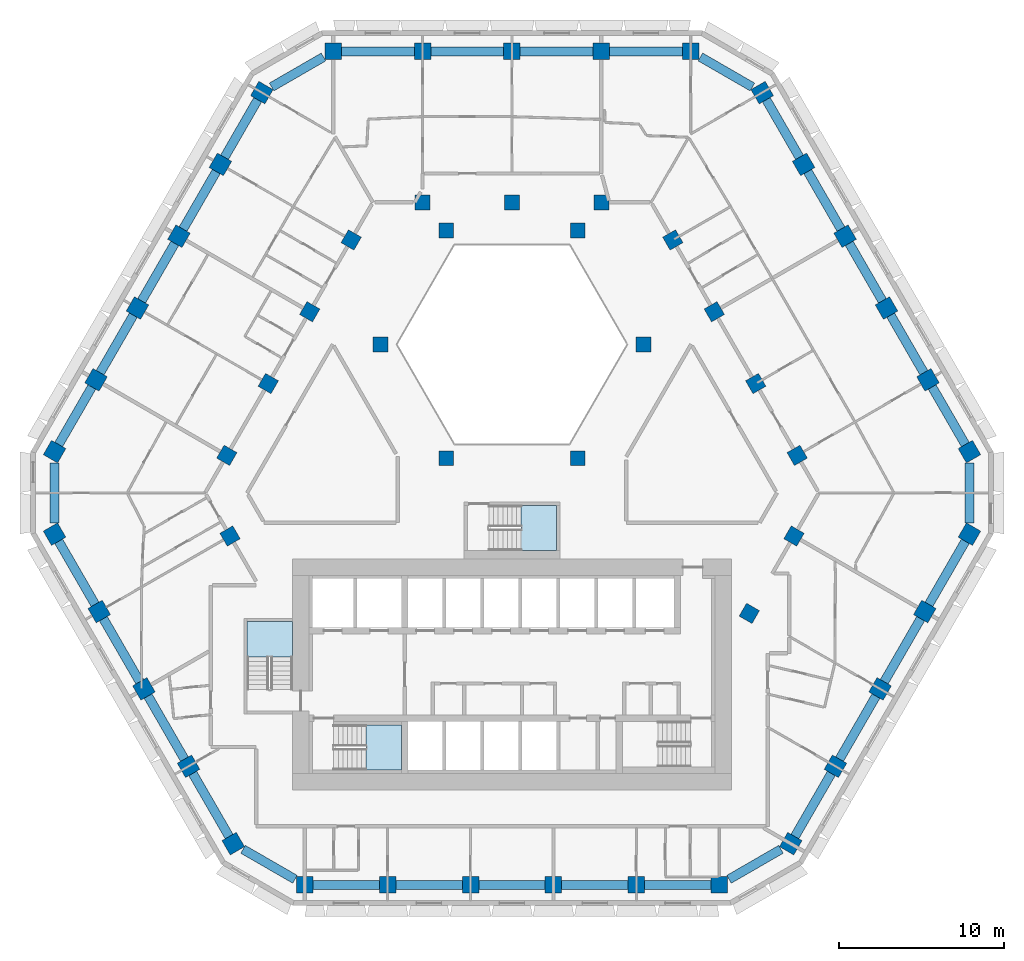
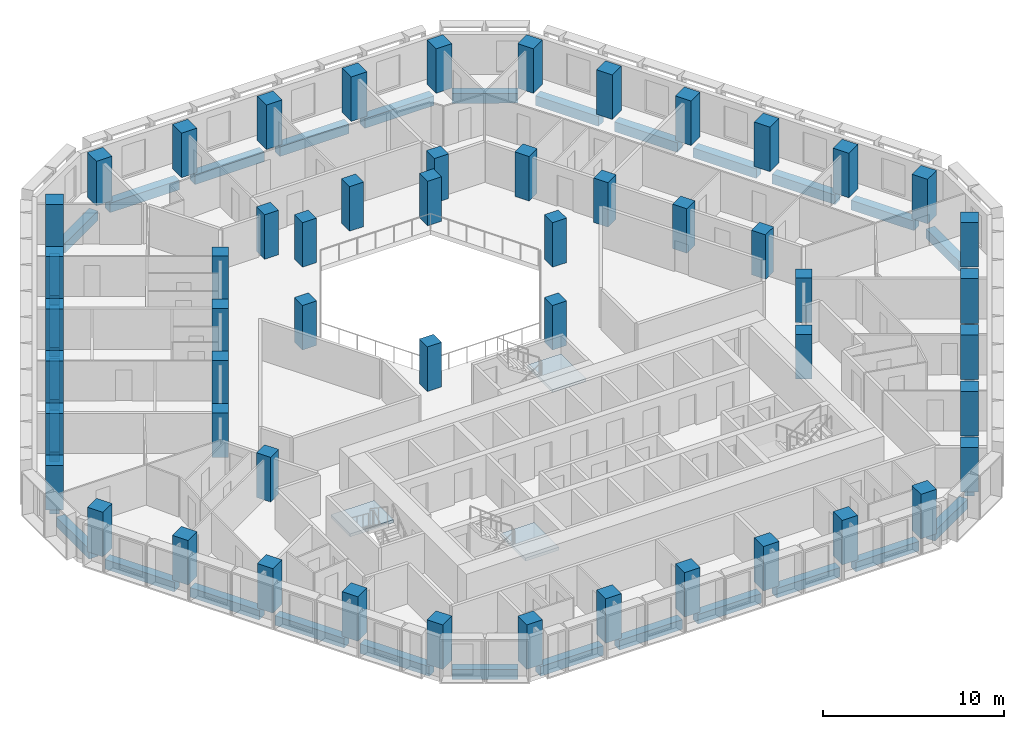
# One storey, part 1 of 16: 53 columns, 33 beams, 3 slabs, 3 elements without a shape of their own.
"""IFC4 building model written with IfcOpenShell, lengths in metres."""

from ifc_helpers import new_model, si_unit, direction, frame, origin, origin_2d, place, context, subcontext, project, spatial, polyline, rectangle, outline, extrude, material, layer, layer_set, material_profile, profile_set, type_object, element, aggregate, save


model = new_model("IFC4")

# Units and contexts
model_context = context("Model", 3, precision=1e-05, world=origin(), true_north=direction((0.0, 1.0)))
body_context = subcontext(model_context, "Body", "Model", "MODEL_VIEW")
ifc_project = project(units=[si_unit("LENGTHUNIT", "METRE"), si_unit("AREAUNIT", "SQUARE_METRE"), si_unit("VOLUMEUNIT", "CUBIC_METRE"), si_unit("PLANEANGLEUNIT", "RADIAN"), si_unit("MASSUNIT", "GRAM", prefix="KILO")], contexts=[model_context])

# Site, building, storey
site_placement = place(None, origin())
site = spatial("IfcSite", under=ifc_project, at=site_placement, CompositionType="ELEMENT")
building_placement = place(site_placement, origin())
building = spatial("IfcBuilding", under=site, at=building_placement, Name="Beryl Residences", CompositionType="ELEMENT")
storey_placement = place(building_placement, frame((0.0, 0.0, 90.0)))
storey = spatial("IfcBuildingStorey", under=building, at=storey_placement, Name="L27", CompositionType="ELEMENT", Elevation=90.0)

# Columns
ifc_material_1 = material(Name="Concrete C70/85", Category="concrete")
ifc_material_profile_1 = material_profile(ifc_material_1, rectangle(XDim=1.0, YDim=1.0, at=origin_2d()))
ifc_profile_set_1 = profile_set([ifc_material_profile_1], Name="Concrete C70/85")
column_type_1 = type_object("IfcColumnType", Name="C2 tube column 1000 x 1000 C70/85", PredefinedType="COLUMN", material=ifc_profile_set_1)
for number, where, z_axis, x_axis, name in (
    (1, (10.824951171875, 25.75, 0.0), (0.0, 0.0, 1.0), (-1.0, 0.0, 0.0), "C2-N1 L27"),
    (2, (5.412109375, 25.75, 0.0), (0.0, 0.0, 1.0), (-1.0, 0.0, 0.0), "C2-N2 L27"),
    (3, (-0.0009765625, 25.75, 0.0), (0.0, 0.0, 1.0), (-1.0, 0.0, 0.0), "C2-N3 L27"),
    (4, (-5.4140625, 25.75, 0.0), (0.0, 0.0, 1.0), (-1.0, 0.0, 0.0), "C2-N4 L27"),
    (5, (-10.826904296875, 25.75, 0.0), (0.0, 0.0, 1.0), (-1.0, 0.0, 0.0), "C2-N5 L27"),
    (6, (-15.155029296875, 23.2509765625, 0.0), (0.0, 0.0, 1.0), (-0.5, -0.866025403784, 0.0), "C2-NW1 L27"),
    (7, (-17.6669921875, 18.89990234375, 0.0), (0.0, 0.0, 1.0), (-0.5, -0.866025403784, 0.0), "C2-NW2 L27"),
    (8, (-20.177978515625, 14.550048828125, 0.0), (0.0, 0.0, 1.0), (-0.5, -0.866025403784, 0.0), "C2-NW3 L27"),
    (9, (-22.68994140625, 10.199951171875, 0.0), (0.0, 0.0, 1.0), (-0.5, -0.866025403784, 0.0), "C2-NW4 L27"),
    (10, (-25.201904296875, 5.85009765625, 0.0), (0.0, 0.0, 1.0), (-0.5, -0.866025403784, 0.0), "C2-NW5 L27"),
    (11, (-27.712890625, 1.5, 0.0), (0.0, 0.0, 1.0), (-0.5, -0.866025403784, 0.0), "C2-NW6 L27"),
    (12, (-27.714111328125, -3.4990234375, 0.0), (0.0, 0.0, 1.0), (0.5, -0.866025403784, 0.0), "C2-SW1 L27"),
    (13, (-25.007080078125, -8.18701171875, 0.0), (0.0, 0.0, 1.0), (0.5, -0.866025403784, 0.0), "C2-SW2 L27"),
    (14, (-22.300048828125, -12.875, 0.0), (0.0, 0.0, 1.0), (0.5, -0.866025403784, 0.0), "C2-SW3 L27"),
    (15, (-19.593994140625, -17.56298828125, 0.0), (0.0, 0.0, 1.0), (0.5, -0.866025403784, 0.0), "C2-SW4 L27"),
    (16, (-16.886962890625, -22.2509765625, 0.0), (0.0, 0.0, 1.0), (0.5, -0.866025403784, 0.0), "C2-SW5 L27"),
    (17, (-12.556884765625, -24.75, 0.0), (0.0, 0.0, 1.0), (1.0, 0.0, 0.0), "C2-S1 L27"),
    (18, (-7.533935546875, -24.75, 0.0), (0.0, 0.0, 1.0), (1.0, 0.0, 0.0), "C2-S2 L27"),
    (19, (-2.510986328125, -24.75, 0.0), (0.0, 0.0, 1.0), (1.0, 0.0, 0.0), "C2-S3 L27"),
    (20, (2.511962890625, -24.75, 0.0), (0.0, 0.0, 1.0), (1.0, 0.0, 0.0), "C2-S4 L27"),
    (21, (7.534912109375, -24.75, 0.0), (0.0, 0.0, 1.0), (1.0, 0.0, 0.0), "C2-S5 L27"),
    (22, (12.55810546875, -24.75, 0.0), (0.0, 0.0, 1.0), (1.0, 0.0, 0.0), "C2-S6 L27"),
    (23, (16.886962890625, -22.2509765625, 0.0), (0.0, 0.0, 1.0), (0.5, 0.866025403784, 0.0), "C2-SE1 L27"),
    (24, (19.593994140625, -17.56298828125, 0.0), (0.0, 0.0, 1.0), (0.5, 0.866025403784, 0.0), "C2-SE2 L27"),
    (25, (22.300048828125, -12.875, 0.0), (0.0, 0.0, 1.0), (0.5, 0.866025403784, 0.0), "C2-SE3 L27"),
    (26, (25.007080078125, -8.18701171875, 0.0), (0.0, 0.0, 1.0), (0.5, 0.866025403784, 0.0), "C2-SE4 L27"),
    (27, (27.714111328125, -3.4990234375, 0.0), (0.0, 0.0, 1.0), (0.5, 0.866025403784, 0.0), "C2-SE5 L27"),
    (28, (27.714111328125, 1.4990234375, 0.0), (0.0, 0.0, 1.0), (-0.5, 0.866025403784, 0.0), "C2-NE1 L27"),
    (29, (25.201904296875, 5.85009765625, 0.0), (0.0, 0.0, 1.0), (-0.5, 0.866025403784, 0.0), "C2-NE2 L27"),
    (30, (22.68994140625, 10.199951171875, 0.0), (0.0, 0.0, 1.0), (-0.5, 0.866025403784, 0.0), "C2-NE3 L27"),
    (31, (20.178955078125, 14.550048828125, 0.0), (0.0, 0.0, 1.0), (-0.5, 0.866025403784, 0.0), "C2-NE4 L27"),
    (32, (17.6669921875, 18.89990234375, 0.0), (0.0, 0.0, 1.0), (-0.5, 0.866025403784, 0.0), "C2-NE5 L27"),
    (33, (15.156005859375, 23.25, 0.0), (0.0, 0.0, 1.0), (-0.5, 0.866025403784, 0.0), "C2-NE6 L27"),
):
    element("IfcColumn", number, at=place(storey_placement, frame(where, z_axis=z_axis, x_axis=x_axis)), inside=storey, type_object=column_type_1, Name=name, PredefinedType="COLUMN", context=body_context, shape_type="SweptSolid", body=[
        extrude(rectangle(XDim=1.0, YDim=1.0, at=origin_2d()), origin(), (0.0, 0.0, 1.0), 3.0),
    ])
ifc_material_2 = material(Name="Concrete C70/85", Category="concrete")
ifc_material_profile_2 = material_profile(ifc_material_2, rectangle(XDim=0.89990234375, YDim=0.89990234375, at=origin_2d()))
ifc_profile_set_2 = profile_set([ifc_material_profile_2], Name="Concrete C70/85")
column_type_2 = type_object("IfcColumnType", Name="IC2 interior column 900 x 900 C70/85", PredefinedType="COLUMN", material=ifc_profile_set_2)
for number, where, z_axis, x_axis, name in (
    (34, (-17.0830078125, -3.612060546875, 0.0), (0.0, 0.0, 1.0), (0.5, -0.866025403784, 0.0), "IC2-M01 L27"),
    (35, (14.3759765625, -8.300048828125, 0.0), (0.0, 0.0, 1.0), (0.5, 0.866025403784, 0.0), "IC2-M02 L27"),
    (36, (17.0830078125, -3.612060546875, 0.0), (0.0, 0.0, 1.0), (0.5, 0.866025403784, 0.0), "IC2-M03 L27"),
    (37, (17.278076171875, 1.27392578125, 0.0), (0.0, 0.0, 1.0), (-0.5, 0.866025403784, 0.0), "IC2-M04 L27"),
    (38, (3.98388671875, 1.10009765625, 0.0), (0.0, 0.0, 1.0), (1.0, 0.0, 0.0), "IC2-A05 L27"),
    (39, (14.76611328125, 5.625, 0.0), (0.0, 0.0, 1.0), (-0.5, 0.866025403784, 0.0), "IC2-M06 L27"),
    (40, (12.2548828125, 9.97509765625, 0.0), (0.0, 0.0, 1.0), (-0.5, 0.866025403784, 0.0), "IC2-M07 L27"),
    (41, (7.967041015625, 8.0, 0.0), (0.0, 0.0, 1.0), (1.0, 0.0, 0.0), "IC2-A08 L27"),
    (42, (9.742919921875, 14.324951171875, 0.0), (0.0, 0.0, 1.0), (-0.5, 0.866025403784, 0.0), "IC2-M09 L27"),
    (43, (5.412109375, 16.60009765625, 0.0), (0.0, 0.0, 1.0), (-1.0, 0.0, 0.0), "IC2-M10 L27"),
    (44, (3.98388671875, 14.89990234375, 0.0), (0.0, 0.0, 1.0), (1.0, 0.0, 0.0), "IC2-A11 L27"),
    (45, (-0.0009765625, 16.60009765625, 0.0), (0.0, 0.0, 1.0), (-1.0, 0.0, 0.0), "IC2-M12 L27"),
    (46, (-3.98388671875, 14.89990234375, 0.0), (0.0, 0.0, 1.0), (1.0, 0.0, 0.0), "IC2-A13 L27"),
    (47, (-5.4140625, 16.60009765625, 0.0), (0.0, 0.0, 1.0), (-1.0, 0.0, 0.0), "IC2-M14 L27"),
    (48, (-9.742919921875, 14.324951171875, 0.0), (0.0, 0.0, 1.0), (-0.5, -0.866025403784, 0.0), "IC2-M15 L27"),
    (49, (-7.967041015625, 8.0, 0.0), (0.0, 0.0, 1.0), (1.0, 0.0, 0.0), "IC2-A16 L27"),
    (50, (-12.25390625, 9.97509765625, 0.0), (0.0, 0.0, 1.0), (-0.5, -0.866025403784, 0.0), "IC2-M17 L27"),
    (51, (-14.76611328125, 5.625, 0.0), (0.0, 0.0, 1.0), (-0.5, -0.866025403784, 0.0), "IC2-M18 L27"),
    (52, (-3.98388671875, 1.10009765625, 0.0), (0.0, 0.0, 1.0), (1.0, 0.0, 0.0), "IC2-A19 L27"),
    (53, (-17.277099609375, 1.27490234375, 0.0), (0.0, 0.0, 1.0), (-0.5, -0.866025403784, 0.0), "IC2-M20 L27"),
):
    element("IfcColumn", number, at=place(storey_placement, frame(where, z_axis=z_axis, x_axis=x_axis)), inside=storey, type_object=column_type_2, Name=name, PredefinedType="COLUMN", context=body_context, shape_type="SweptSolid", body=[
        extrude(rectangle(XDim=0.89990234375, YDim=0.89990234375, at=origin_2d()), origin(), (0.0, 0.0, 1.0), 3.0),
    ])

# Beams
ifc_material_3 = material(Name="Concrete C70/85", Category="concrete")
ifc_material_profile_3 = material_profile(ifc_material_3, rectangle(XDim=0.550048828125, YDim=0.64990234375, at=origin_2d()))
ifc_profile_set_3 = profile_set([ifc_material_profile_3], Name="Concrete C70/85")
beam_type = type_object("IfcBeamType", Name="SB2 spandrel beam 550 x 650 C70/85", PredefinedType="SPANDREL", material=ifc_profile_set_3)
beam_1_placement = place(storey_placement, frame((10.324951171875, 25.75, -0.625), z_axis=(-1.0, 0.0, 0.0), x_axis=(0.0, -1.0, 0.0)))
element("IfcBeam", 54, at=beam_1_placement, inside=storey, type_object=beam_type, Name="SB2 L27 N-0", PredefinedType="SPANDREL", context=body_context, shape_type="SweptSolid", body=[
    extrude(rectangle(XDim=0.550048828125, YDim=0.64990234375, at=origin_2d()), origin(), (0.0, 0.0, 1.0), 4.412841796875),
])
for number, where, z_axis, x_axis, name in (
    (55, (4.912109375, 25.75, -0.625), (-1.0, 0.0, 0.0), (0.0, -1.0, 0.0), "SB2 L27 N-1"),
    (56, (-0.5009765625, 25.75, -0.625), (-1.0, 0.0, 0.0), (0.0, -1.0, 0.0), "SB2 L27 N-2"),
):
    element("IfcBeam", number, at=place(storey_placement, frame(where, z_axis=z_axis, x_axis=x_axis)), inside=storey, type_object=beam_type, Name=name, PredefinedType="SPANDREL", context=body_context, shape_type="SweptSolid", body=[
        extrude(rectangle(XDim=0.550048828125, YDim=0.64990234375, at=origin_2d()), origin(), (0.0, 0.0, 1.0), 4.4130859375),
    ])
beam_2_placement = place(storey_placement, frame((-5.9140625, 25.75, -0.625), z_axis=(-1.0, 0.0, 0.0), x_axis=(0.0, -1.0, 0.0)))
element("IfcBeam", 57, at=beam_2_placement, inside=storey, type_object=beam_type, Name="SB2 L27 N-3", PredefinedType="SPANDREL", context=body_context, shape_type="SweptSolid", body=[
    extrude(rectangle(XDim=0.550048828125, YDim=0.64990234375, at=origin_2d()), origin(), (0.0, 0.0, 1.0), 4.412841796875),
])
beam_3_placement = place(storey_placement, frame((-11.41796875, 25.408935546875, -0.625), z_axis=(-0.865959503272, -0.500114125668, 0.0), x_axis=(0.500114125668, -0.865959503272, 0.0)))
element("IfcBeam", 58, at=beam_3_placement, inside=storey, type_object=beam_type, Name="SB2 L27 N-4", PredefinedType="SPANDREL", context=body_context, shape_type="SweptSolid", body=[
    extrude(rectangle(XDim=0.550048828125, YDim=0.64990234375, at=origin_2d()), origin(), (0.0, 0.0, 1.0), 3.633056640625),
])
beam_4_placement = place(storey_placement, frame((-15.405029296875, 22.818115234375, -0.625), z_axis=(-0.49996928203, -0.866043138087, 0.0), x_axis=(0.866043138087, -0.49996928203, 0.0)))
element("IfcBeam", 59, at=beam_4_placement, inside=storey, type_object=beam_type, Name="SB2 L27 NW-0", PredefinedType="SPANDREL", context=body_context, shape_type="SweptSolid", body=[
    extrude(rectangle(XDim=0.550048828125, YDim=0.64990234375, at=origin_2d()), origin(), (0.0, 0.0, 1.0), 4.024169921875),
])
beam_5_placement = place(storey_placement, frame((-17.9169921875, 18.467041015625, -0.625), z_axis=(-0.499892318183, -0.866087564985, 0.0), x_axis=(0.866087564985, -0.499892318183, 0.0)))
element("IfcBeam", 60, at=beam_5_placement, inside=storey, type_object=beam_type, Name="SB2 L27 NW-1", PredefinedType="SPANDREL", context=body_context, shape_type="SweptSolid", body=[
    extrude(rectangle(XDim=0.550048828125, YDim=0.64990234375, at=origin_2d()), origin(), (0.0, 0.0, 1.0), 4.02294921875),
])
beam_6_placement = place(storey_placement, frame((-20.427978515625, 14.116943359375, -0.625), z_axis=(-0.500100656611, -0.865967281863, 0.0), x_axis=(0.865967281863, -0.500100656611, 0.0)))
element("IfcBeam", 61, at=beam_6_placement, inside=storey, type_object=beam_type, Name="SB2 L27 NW-2", PredefinedType="SPANDREL", context=body_context, shape_type="SweptSolid", body=[
    extrude(rectangle(XDim=0.550048828125, YDim=0.64990234375, at=origin_2d()), origin(), (0.0, 0.0, 1.0), 4.023193359375),
])
beam_7_placement = place(storey_placement, frame((-22.93994140625, 9.76708984375, -0.625), z_axis=(-0.500074377092, -0.865982457891, 0.0), x_axis=(0.865982457891, -0.500074377092, 0.0)))
element("IfcBeam", 62, at=beam_7_placement, inside=storey, type_object=beam_type, Name="SB2 L27 NW-3", PredefinedType="SPANDREL", context=body_context, shape_type="SweptSolid", body=[
    extrude(rectangle(XDim=0.550048828125, YDim=0.64990234375, at=origin_2d()), origin(), (0.0, 0.0, 1.0), 4.0234375),
])
beam_8_placement = place(storey_placement, frame((-25.451904296875, 5.4169921875, -0.625), z_axis=(-0.499918594511, -0.866072398164, 0.0), x_axis=(0.866072398164, -0.499918594511, 0.0)))
element("IfcBeam", 63, at=beam_8_placement, inside=storey, type_object=beam_type, Name="SB2 L27 NW-4", PredefinedType="SPANDREL", context=body_context, shape_type="SweptSolid", body=[
    extrude(rectangle(XDim=0.550048828125, YDim=0.64990234375, at=origin_2d()), origin(), (0.0, 0.0, 1.0), 4.022705078125),
])
beam_9_placement = place(storey_placement, frame((-27.712890625, 0.81689453125, -0.625), z_axis=(-0.000336021486, -0.999999943545, 0.0), x_axis=(0.999999943545, -0.000336021486, 0.0)))
element("IfcBeam", 64, at=beam_9_placement, inside=storey, type_object=beam_type, Name="SB2 L27 NW-5", PredefinedType="SPANDREL", context=body_context, shape_type="SweptSolid", body=[
    extrude(rectangle(XDim=0.550048828125, YDim=0.64990234375, at=origin_2d()), origin(), (0.0, 0.0, 1.0), 3.6328125),
])
beam_10_placement = place(storey_placement, frame((-27.464111328125, -3.931884765625, -0.625), z_axis=(0.50006561292, -0.865987518834, 0.0), x_axis=(0.865987518834, 0.50006561292, 0.0)))
element("IfcBeam", 65, at=beam_10_placement, inside=storey, type_object=beam_type, Name="SB2 L27 SW-0", PredefinedType="SPANDREL", context=body_context, shape_type="SweptSolid", body=[
    extrude(rectangle(XDim=0.550048828125, YDim=0.64990234375, at=origin_2d()), origin(), (0.0, 0.0, 1.0), 4.41357421875),
])
beam_11_placement = place(storey_placement, frame((-24.757080078125, -8.6201171875, -0.625), z_axis=(0.500089568931, -0.865973684962, 0.0), x_axis=(0.865973684962, 0.500089568931, 0.0)))
element("IfcBeam", 66, at=beam_11_placement, inside=storey, type_object=beam_type, Name="SB2 L27 SW-1", PredefinedType="SPANDREL", context=body_context, shape_type="SweptSolid", body=[
    extrude(rectangle(XDim=0.550048828125, YDim=0.64990234375, at=origin_2d()), origin(), (0.0, 0.0, 1.0), 4.413330078125),
])
beam_12_placement = place(storey_placement, frame((-22.050048828125, -13.30810546875, -0.625), z_axis=(0.49992360228, -0.866069507536, 0.0), x_axis=(0.866069507536, 0.49992360228, 0.0)))
element("IfcBeam", 67, at=beam_12_placement, inside=storey, type_object=beam_type, Name="SB2 L27 SW-2", PredefinedType="SPANDREL", context=body_context, shape_type="SweptSolid", body=[
    extrude(rectangle(XDim=0.550048828125, YDim=0.64990234375, at=origin_2d()), origin(), (0.0, 0.0, 1.0), 4.412841796875),
])
beam_13_placement = place(storey_placement, frame((-19.343994140625, -17.99609375, -0.625), z_axis=(0.50006561292, -0.865987518834, 0.0), x_axis=(0.865987518834, 0.50006561292, 0.0)))
element("IfcBeam", 68, at=beam_13_placement, inside=storey, type_object=beam_type, Name="SB2 L27 SW-3", PredefinedType="SPANDREL", context=body_context, shape_type="SweptSolid", body=[
    extrude(rectangle(XDim=0.550048828125, YDim=0.64990234375, at=origin_2d()), origin(), (0.0, 0.0, 1.0), 4.41357421875),
])
beam_14_placement = place(storey_placement, frame((-16.2958984375, -22.592041015625, -0.625), z_axis=(0.866093873939, -0.499881387456, 0.0), x_axis=(0.499881387456, 0.866093873939, 0.0)))
element("IfcBeam", 69, at=beam_14_placement, inside=storey, type_object=beam_type, Name="SB2 L27 SW-4", PredefinedType="SPANDREL", context=body_context, shape_type="SweptSolid", body=[
    extrude(rectangle(XDim=0.550048828125, YDim=0.64990234375, at=origin_2d()), origin(), (0.0, 0.0, 1.0), 3.634765625),
])
for number, where, z_axis, x_axis, name in (
    (70, (-12.056884765625, -24.75, -0.625), (1.0, 0.0, 0.0), (0.0, 1.0, 0.0), "SB2 L27 S-0"),
    (71, (-7.033935546875, -24.75, -0.625), (1.0, 0.0, 0.0), (0.0, 1.0, 0.0), "SB2 L27 S-1"),
    (72, (-2.010986328125, -24.75, -0.625), (1.0, 0.0, 0.0), (0.0, 1.0, 0.0), "SB2 L27 S-2"),
    (73, (3.011962890625, -24.75, -0.625), (1.0, 0.0, 0.0), (0.0, 1.0, 0.0), "SB2 L27 S-3"),
):
    element("IfcBeam", number, at=place(storey_placement, frame(where, z_axis=z_axis, x_axis=x_axis)), inside=storey, type_object=beam_type, Name=name, PredefinedType="SPANDREL", context=body_context, shape_type="SweptSolid", body=[
        extrude(rectangle(XDim=0.550048828125, YDim=0.64990234375, at=origin_2d()), origin(), (0.0, 0.0, 1.0), 4.02294921875),
    ])
beam_15_placement = place(storey_placement, frame((8.034912109375, -24.75, -0.625), z_axis=(1.0, 0.0, 0.0), x_axis=(0.0, 1.0, 0.0)))
element("IfcBeam", 74, at=beam_15_placement, inside=storey, type_object=beam_type, Name="SB2 L27 S-4", PredefinedType="SPANDREL", context=body_context, shape_type="SweptSolid", body=[
    extrude(rectangle(XDim=0.550048828125, YDim=0.64990234375, at=origin_2d()), origin(), (0.0, 0.0, 1.0), 4.023193359375),
])
beam_16_placement = place(storey_placement, frame((13.14892578125, -24.408935546875, -0.625), z_axis=(0.866026712061, 0.499997733992, 0.0), x_axis=(-0.499997733992, 0.866026712061, 0.0)))
element("IfcBeam", 75, at=beam_16_placement, inside=storey, type_object=beam_type, Name="SB2 L27 S-5", PredefinedType="SPANDREL", context=body_context, shape_type="SweptSolid", body=[
    extrude(rectangle(XDim=0.550048828125, YDim=0.64990234375, at=origin_2d()), origin(), (0.0, 0.0, 1.0), 3.6337890625),
])
beam_17_placement = place(storey_placement, frame((17.136962890625, -21.818115234375, -0.625), z_axis=(0.50006561292, 0.865987518834, 0.0), x_axis=(-0.865987518834, 0.50006561292, 0.0)))
element("IfcBeam", 76, at=beam_17_placement, inside=storey, type_object=beam_type, Name="SB2 L27 SE-0", PredefinedType="SPANDREL", context=body_context, shape_type="SweptSolid", body=[
    extrude(rectangle(XDim=0.550048828125, YDim=0.64990234375, at=origin_2d()), origin(), (0.0, 0.0, 1.0), 4.41357421875),
])
beam_18_placement = place(storey_placement, frame((19.843994140625, -17.1298828125, -0.625), z_axis=(0.49992360228, 0.866069507536, 0.0), x_axis=(-0.866069507536, 0.49992360228, 0.0)))
element("IfcBeam", 77, at=beam_18_placement, inside=storey, type_object=beam_type, Name="SB2 L27 SE-1", PredefinedType="SPANDREL", context=body_context, shape_type="SweptSolid", body=[
    extrude(rectangle(XDim=0.550048828125, YDim=0.64990234375, at=origin_2d()), origin(), (0.0, 0.0, 1.0), 4.412841796875),
])
beam_19_placement = place(storey_placement, frame((22.550048828125, -12.44189453125, -0.625), z_axis=(0.500089568931, 0.865973684962, 0.0), x_axis=(-0.865973684962, 0.500089568931, 0.0)))
element("IfcBeam", 78, at=beam_19_placement, inside=storey, type_object=beam_type, Name="SB2 L27 SE-2", PredefinedType="SPANDREL", context=body_context, shape_type="SweptSolid", body=[
    extrude(rectangle(XDim=0.550048828125, YDim=0.64990234375, at=origin_2d()), origin(), (0.0, 0.0, 1.0), 4.413330078125),
])
beam_20_placement = place(storey_placement, frame((25.257080078125, -7.75390625, -0.625), z_axis=(0.50006561292, 0.865987518834, 0.0), x_axis=(-0.865987518834, 0.50006561292, 0.0)))
element("IfcBeam", 79, at=beam_20_placement, inside=storey, type_object=beam_type, Name="SB2 L27 SE-3", PredefinedType="SPANDREL", context=body_context, shape_type="SweptSolid", body=[
    extrude(rectangle(XDim=0.550048828125, YDim=0.64990234375, at=origin_2d()), origin(), (0.0, 0.0, 1.0), 4.41357421875),
])
beam_21_placement = place(storey_placement, frame((27.714111328125, -2.81591796875, -0.625), z_axis=(0.0, 1.0, 0.0), x_axis=(-1.0, 0.0, 0.0)))
element("IfcBeam", 80, at=beam_21_placement, inside=storey, type_object=beam_type, Name="SB2 L27 SE-4", PredefinedType="SPANDREL", context=body_context, shape_type="SweptSolid", body=[
    extrude(rectangle(XDim=0.550048828125, YDim=0.64990234375, at=origin_2d()), origin(), (0.0, 0.0, 1.0), 3.6318359375),
])
beam_22_placement = place(storey_placement, frame((27.464111328125, 1.931884765625, -0.625), z_axis=(-0.500014783214, 0.866016868524, 0.0), x_axis=(-0.866016868524, -0.500014783214, 0.0)))
element("IfcBeam", 81, at=beam_22_placement, inside=storey, type_object=beam_type, Name="SB2 L27 NE-0", PredefinedType="SPANDREL", context=body_context, shape_type="SweptSolid", body=[
    extrude(rectangle(XDim=0.550048828125, YDim=0.64990234375, at=origin_2d()), origin(), (0.0, 0.0, 1.0), 4.0244140625),
])
beam_23_placement = place(storey_placement, frame((24.951904296875, 6.282958984375, -0.625), z_axis=(-0.500074377092, 0.865982457891, 0.0), x_axis=(-0.865982457891, -0.500074377092, 0.0)))
element("IfcBeam", 82, at=beam_23_placement, inside=storey, type_object=beam_type, Name="SB2 L27 NE-1", PredefinedType="SPANDREL", context=body_context, shape_type="SweptSolid", body=[
    extrude(rectangle(XDim=0.550048828125, YDim=0.64990234375, at=origin_2d()), origin(), (0.0, 0.0, 1.0), 4.0234375),
])
beam_24_placement = place(storey_placement, frame((22.43994140625, 10.633056640625, -0.625), z_axis=(-0.499918594511, 0.866072398164, 0.0), x_axis=(-0.866072398164, -0.499918594511, 0.0)))
element("IfcBeam", 83, at=beam_24_placement, inside=storey, type_object=beam_type, Name="SB2 L27 NE-2", PredefinedType="SPANDREL", context=body_context, shape_type="SweptSolid", body=[
    extrude(rectangle(XDim=0.550048828125, YDim=0.64990234375, at=origin_2d()), origin(), (0.0, 0.0, 1.0), 4.022705078125),
])
beam_25_placement = place(storey_placement, frame((19.928955078125, 14.98291015625, -0.625), z_axis=(-0.500074377092, 0.865982457891, 0.0), x_axis=(-0.865982457891, -0.500074377092, 0.0)))
element("IfcBeam", 84, at=beam_25_placement, inside=storey, type_object=beam_type, Name="SB2 L27 NE-3", PredefinedType="SPANDREL", context=body_context, shape_type="SweptSolid", body=[
    extrude(rectangle(XDim=0.550048828125, YDim=0.64990234375, at=origin_2d()), origin(), (0.0, 0.0, 1.0), 4.0234375),
])
beam_26_placement = place(storey_placement, frame((17.4169921875, 19.3330078125, -0.625), z_axis=(-0.499918594511, 0.866072398164, 0.0), x_axis=(-0.866072398164, -0.499918594511, 0.0)))
element("IfcBeam", 85, at=beam_26_placement, inside=storey, type_object=beam_type, Name="SB2 L27 NE-4", PredefinedType="SPANDREL", context=body_context, shape_type="SweptSolid", body=[
    extrude(rectangle(XDim=0.550048828125, YDim=0.64990234375, at=origin_2d()), origin(), (0.0, 0.0, 1.0), 4.022705078125),
])
beam_27_placement = place(storey_placement, frame((14.56494140625, 23.591064453125, -0.625), z_axis=(-0.866044702259, 0.499966572571, 0.0), x_axis=(-0.499966572571, -0.866044702259, 0.0)))
element("IfcBeam", 86, at=beam_27_placement, inside=storey, type_object=beam_type, Name="SB2 L27 NE-5", PredefinedType="SPANDREL", context=body_context, shape_type="SweptSolid", body=[
    extrude(rectangle(XDim=0.550048828125, YDim=0.64990234375, at=origin_2d()), origin(), (0.0, 0.0, 1.0), 3.635986328125),
])

# Stair, slab
ifc_material_4 = material(Name="Concrete C40/50", Category="concrete")
stair_type = type_object("IfcStairType", Name="ST1 protected exit stair, half-turn, 1300 mm flights", PredefinedType="HALF_TURN_STAIR", material=ifc_material_4)
stair_1_placement = place(storey_placement, origin())
stair_1 = element("IfcStair", 87, at=stair_1_placement, inside=storey, type_object=stair_type, Name="L27 PROTECTED EXIT STAIR ST-1", PredefinedType="HALF_TURN_STAIR")
ifc_material_5 = material(Name="Concrete C40/50", Category="concrete")
ifc_layer = layer(ifc_material_5, 0.199951171875)
ifc_layer_set = layer_set([ifc_layer], Name="SLD1 stair landing 200 mm")
slab_type = type_object("IfcSlabType", Name="SLD1 stair landing 200 mm", PredefinedType="LANDING", material=ifc_layer_set)
slab_1_placement = place(storey_placement, frame((0.0, 0.0, 1.300048828125)))
slab_1 = element("IfcSlab", 88, at=slab_1_placement, type_object=slab_type, Name="ST-1 landing 1", PredefinedType="LANDING", context=body_context, shape_type="SweptSolid", body=[
    extrude(outline(polyline([(-8.840087890625, -17.800048828125), (-6.699951171875, -17.800048828125), (-6.699951171875, -15.050048828125), (-8.840087890625, -15.050048828125), (-8.840087890625, -17.800048828125)])), origin(), (0.0, 0.0, 1.0), 0.199951171875),
])
aggregate(stair_1, [slab_1])

stair_2_placement = place(storey_placement, origin())
stair_2 = element("IfcStair", 89, at=stair_2_placement, inside=storey, type_object=stair_type, Name="L27 PROTECTED EXIT STAIR ST-2", PredefinedType="HALF_TURN_STAIR")
slab_2_placement = place(storey_placement, frame((0.0, 0.0, 1.300048828125)))
slab_2 = element("IfcSlab", 90, at=slab_2_placement, type_object=slab_type, Name="ST-2 landing 1", PredefinedType="LANDING", context=body_context, shape_type="SweptSolid", body=[
    extrude(outline(polyline([(-13.300048828125, -10.93994140625), (-13.300048828125, -8.800048828125), (-16.050048828125, -8.800048828125), (-16.050048828125, -10.93994140625), (-13.300048828125, -10.93994140625)])), origin(), (0.0, 0.0, 1.0), 0.199951171875),
])
aggregate(stair_2, [slab_2])

stair_3_placement = place(storey_placement, origin())
stair_3 = element("IfcStair", 91, at=stair_3_placement, inside=storey, type_object=stair_type, Name="L27 PROTECTED EXIT STAIR ST-4", PredefinedType="HALF_TURN_STAIR")
slab_3_placement = place(storey_placement, frame((0.0, 0.0, 1.300048828125)))
slab_3 = element("IfcSlab", 92, at=slab_3_placement, type_object=slab_type, Name="ST-4 landing 1", PredefinedType="LANDING", context=body_context, shape_type="SweptSolid", body=[
    extrude(outline(polyline([(0.56005859375, -4.5), (2.699951171875, -4.5), (2.699951171875, -1.75), (0.56005859375, -1.75), (0.56005859375, -4.5)])), origin(), (0.0, 0.0, 1.0), 0.199951171875),
])
aggregate(stair_3, [slab_3])

save(model, "model.ifc")
